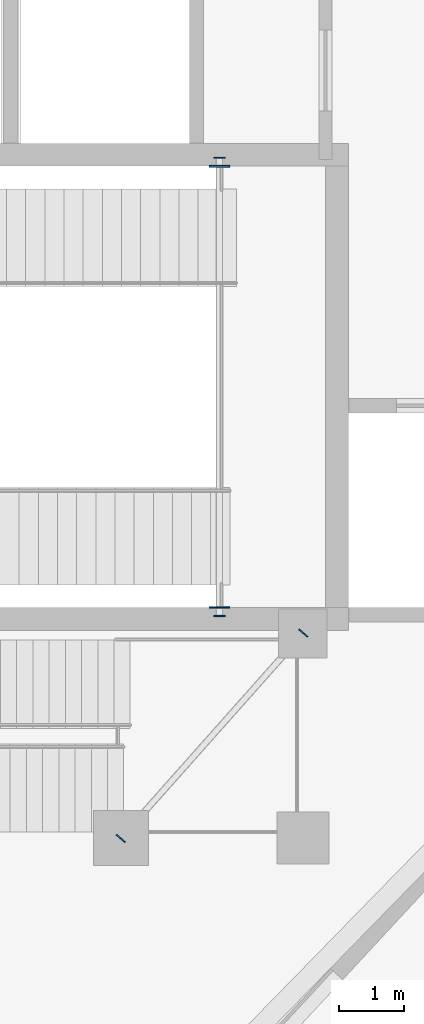
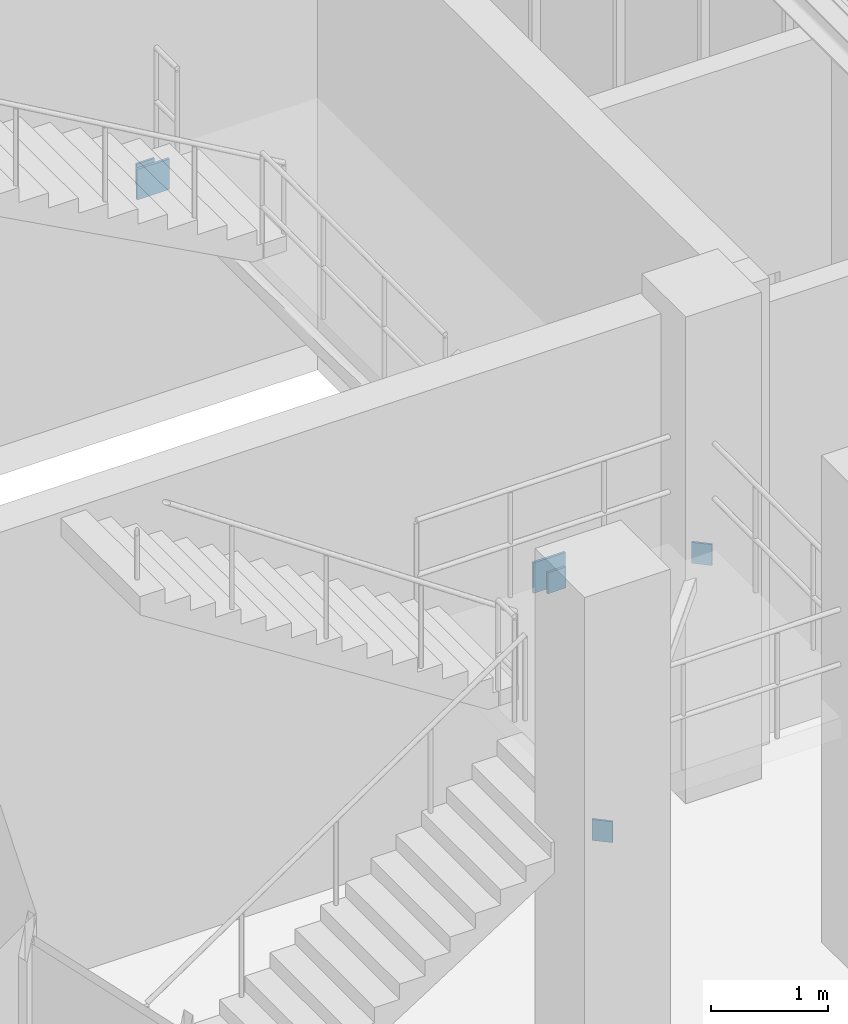
# One storey, part 30 of 68: 6 plates.
"""IFC4 building model written with IfcOpenShell, lengths in metres."""

from ifc_helpers import new_model, si_unit, direction, frame, origin, origin_2d, place, context, subcontext, project, spatial, rectangle, extrude, material, layer, layer_set, type_object, element, save


model = new_model("IFC4")

# Units and contexts
model_context = context("Model", 3, precision=1e-05, world=origin(), true_north=direction((0.0, 1.0)))
body_context = subcontext(model_context, "Body", "Model", "MODEL_VIEW")
ifc_project = project(units=[si_unit("LENGTHUNIT", "METRE"), si_unit("AREAUNIT", "SQUARE_METRE"), si_unit("VOLUMEUNIT", "CUBIC_METRE"), si_unit("PLANEANGLEUNIT", "RADIAN"), si_unit("MASSUNIT", "GRAM", prefix="KILO"), si_unit("THERMODYNAMICTEMPERATUREUNIT", "KELVIN"), si_unit("POWERUNIT", "WATT")], contexts=[model_context])

# Site, building, storey
site_placement = place(None, origin())
site = spatial("IfcSite", under=ifc_project, at=site_placement, CompositionType="ELEMENT")
building_placement = place(site_placement, origin())
building = spatial("IfcBuilding", under=site, at=building_placement, Name="Solvatero Civic Police Headquarters", CompositionType="ELEMENT")
storey_placement = place(building_placement, origin())
storey = spatial("IfcBuildingStorey", under=building, at=storey_placement, Name="L00", CompositionType="ELEMENT", Elevation=0.0)

# Plates
ifc_material = material(Name="Steel S355", Category="steel")
ifc_layer_1 = layer(ifc_material, 0.02001953125)
ifc_layer_set_1 = layer_set([ifc_layer_1], Name="Steel S355")
plate_type_1 = type_object("IfcPlateType", Name="PLT-CAP-20", PredefinedType="SHEET", material=ifc_layer_set_1)
for number, where, z_axis, x_axis, name in (
    (1, (44.1650390625, 15.8701171875, 2.1650390625), (0.0, 0.0, 1.0), (1.0, 0.0, 0.0), "Hollow Section Cap Plate 0005"),
    (2, (44.1650390625, 22.929931640625, 2.1650390625), (0.0, 0.0, 1.0), (1.0, 0.0, 0.0), "Hollow Section Cap Plate 0006"),
):
    element("IfcPlate", number, at=place(storey_placement, frame(where, z_axis=z_axis, x_axis=x_axis)), inside=storey, type_object=plate_type_1, Name=name, PredefinedType="SHEET", context=body_context, shape_type="SweptSolid", body=[
        extrude(rectangle(XDim=0.179931640625, YDim=0.02001953125, at=origin_2d()), origin(), (0.0, 0.0, 1.0), 0.219970703125),
    ])
for number, where, z_axis, x_axis, name in (
    (3, (42.643310546875, 12.4423828125, 2.14990234375), (0.0, 0.0, 1.0), (0.664369848049, 0.747403977112, 0.0), "Hollow Section Cap Plate 0077"),
    (4, (45.45654296875, 15.607421875, 2.14990234375), (0.0, 0.0, 1.0), (0.664369848049, 0.747403977112, 0.0), "Hollow Section Cap Plate 0078"),
):
    element("IfcPlate", number, at=place(storey_placement, frame(where, z_axis=z_axis, x_axis=x_axis)), inside=storey, type_object=plate_type_1, Name=name, PredefinedType="SHEET", context=body_context, shape_type="SweptSolid", body=[
        extrude(rectangle(XDim=0.02001953125, YDim=0.179931640625, at=origin_2d()), origin(), (0.0, 0.0, 1.0), 0.219970703125),
    ])
ifc_layer_2 = layer(ifc_material, 0.02490234375)
ifc_layer_set_2 = layer_set([ifc_layer_2], Name="Steel S355")
plate_type_2 = type_object("IfcPlateType", Name="PLT-EMB-25", PredefinedType="SHEET", material=ifc_layer_set_2)
for number, where, z_axis, x_axis, name in (
    (5, (44.1650390625, 16.0, 2.11474609375), (0.0, 0.0, 1.0), (1.0, 0.0, 0.0), "Cast-In Shear Wall Embed Plate 0005"),
    (6, (44.1650390625, 22.800048828125, 2.11474609375), (0.0, 0.0, 1.0), (1.0, 0.0, 0.0), "Cast-In Shear Wall Embed Plate 0006"),
):
    element("IfcPlate", number, at=place(storey_placement, frame(where, z_axis=z_axis, x_axis=x_axis)), inside=storey, type_object=plate_type_2, Name=name, PredefinedType="SHEET", context=body_context, shape_type="SweptSolid", body=[
        extrude(rectangle(XDim=0.320068359375, YDim=0.02490234375, at=origin_2d()), origin(), (0.0, 0.0, 1.0), 0.320068359375),
    ])

save(model, "model.ifc")
